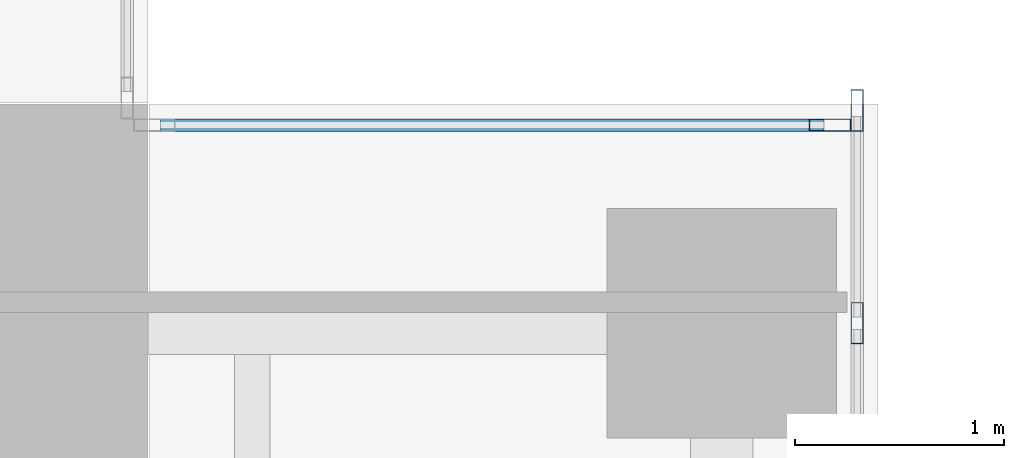
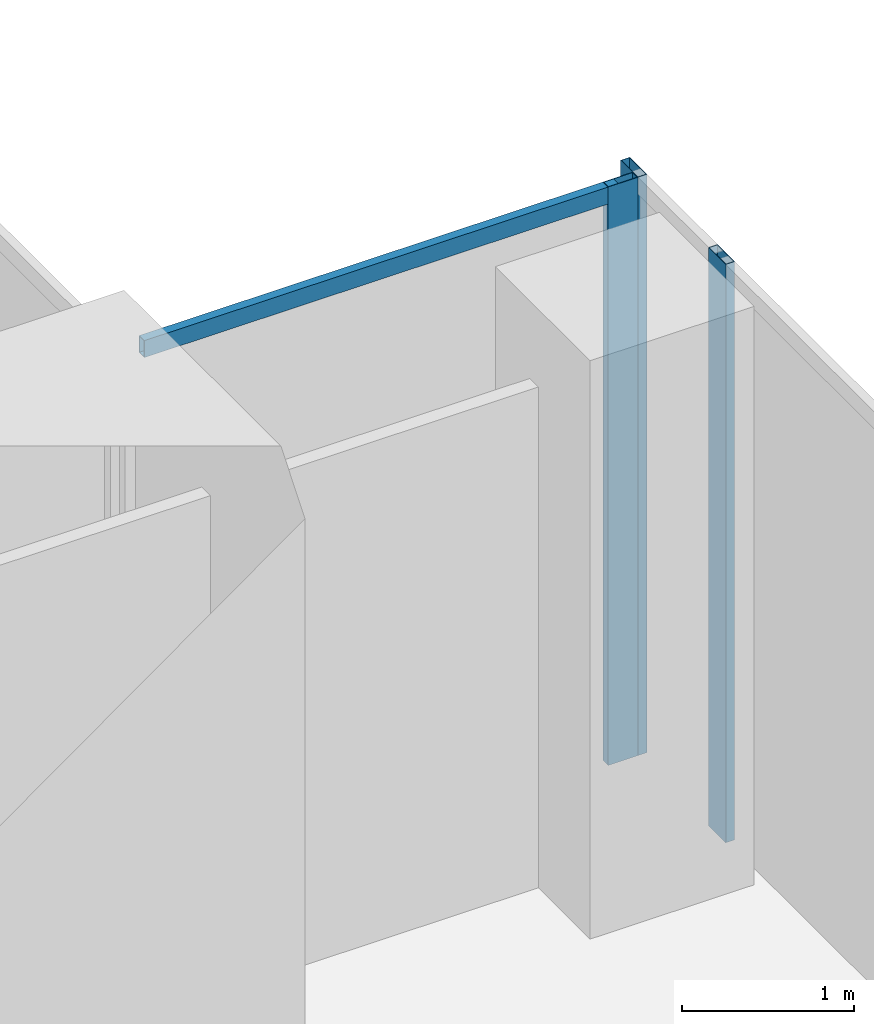
# One storey, part 21 of 35: 4 members, 2 elements without a shape of their own.
"""IFC4 building model written with IfcOpenShell, lengths in metres."""

from ifc_helpers import new_model, si_unit, direction, frame, origin, origin_2d, place, context, subcontext, project, spatial, hollow_rectangle, extrude, source, transform, mapped, material, material_profile, profile_set, type_object, element, aggregate, save


model = new_model("IFC4")

# Units and contexts
model_context = context("Model", 3, precision=1e-05, world=origin(), true_north=direction((0.0, 1.0)))
body_context = subcontext(model_context, "Body", "Model", "MODEL_VIEW")
ifc_project = project(units=[si_unit("LENGTHUNIT", "METRE"), si_unit("AREAUNIT", "SQUARE_METRE"), si_unit("VOLUMEUNIT", "CUBIC_METRE"), si_unit("PLANEANGLEUNIT", "RADIAN"), si_unit("MASSUNIT", "GRAM", prefix="KILO")], contexts=[model_context])

# Site, building, storey
site_placement = place(None, origin())
site = spatial("IfcSite", under=ifc_project, at=site_placement, CompositionType="ELEMENT")
building_placement = place(site_placement, origin())
building = spatial("IfcBuilding", under=site, at=building_placement, Name="Khomas Fold Tower", CompositionType="ELEMENT")
storey_placement = place(building_placement, frame((0.0, 0.0, 119.10009765625)))
storey = spatial("IfcBuildingStorey", under=building, at=storey_placement, Name="L25", CompositionType="ELEMENT", Elevation=119.10009765625)

# Curtain wall, member
ifc_material_1 = material(Name="Aluminium framed double glazing", Category="aluminium")
curtain_wall_type = type_object("IfcCurtainWallType", Name="SK-Unitised clear-glass wall, growing floors CW1", PredefinedType="NOTDEFINED", material=ifc_material_1)
curtain_wall_1_placement = place(storey_placement, origin())
curtain_wall_1 = element("IfcCurtainWall", 1, at=curtain_wall_1_placement, inside=storey, type_object=curtain_wall_type, Name="CW1 corner return L25 04", PredefinedType="NOTDEFINED")
ifc_material_2 = material(Name="Aluminium", Category="aluminium")
ifc_material_profile_1 = material_profile(ifc_material_2, hollow_rectangle(XDim=0.06005859375, YDim=0.1201171875, WallThickness=0.00390625, at=origin_2d()), Name="SK-Unitised clear-glass wall, growing floors transom CW1-T")
ifc_profile_set_1 = profile_set([ifc_material_profile_1], Name="Aluminium")
member_type_1 = type_object("IfcMemberType", Name="SK-Unitised clear-glass wall, growing floors transom CW1-T", PredefinedType="USERDEFINED", material=ifc_profile_set_1)
shared_shape_1 = source(origin(), body_context, "Body", "SweptSolid", [
    extrude(hollow_rectangle(XDim=0.06005859375, YDim=0.1201171875, WallThickness=0.00390625, at=origin_2d()), origin(), (0.0, 0.0, 1.0), 3.179931640625),
])
member_1_placement = place(storey_placement, frame((52.239990234375, 48.89990234375, 4.039794921875), z_axis=(-1.0, 0.0, 0.0), x_axis=(0.0, -1.0, 0.0)))
member_1 = element("IfcMember", 2, at=member_1_placement, type_object=member_type_1, Name="CW1 transom 1", ObjectType="TRANSOM", PredefinedType="USERDEFINED", context=body_context, shape_type="MappedRepresentation", body=[
    mapped(shared_shape_1, transform((0.0, 0.0, 0.0))),
])

# Curtain wall, members
curtain_wall_2_placement = place(storey_placement, origin())
curtain_wall_2 = element("IfcCurtainWall", 3, at=curtain_wall_2_placement, inside=storey, type_object=curtain_wall_type, Name="CW1 run L25 03-0", PredefinedType="NOTDEFINED")
ifc_material_3 = material(Name="Aluminium", Category="aluminium")
ifc_material_profile_2 = material_profile(ifc_material_3, hollow_rectangle(XDim=0.06005859375, YDim=0.199951171875, WallThickness=0.00390625, at=origin_2d()), Name="SK-Unitised clear-glass wall, growing floors mullion CW1-M")
ifc_profile_set_2 = profile_set([ifc_material_profile_2], Name="Aluminium")
member_type_2 = type_object("IfcMemberType", Name="SK-Unitised clear-glass wall, growing floors mullion CW1-M", PredefinedType="MULLION", material=ifc_profile_set_2)
shared_shape_2 = source(origin(), body_context, "Body", "SweptSolid", [
    extrude(hollow_rectangle(XDim=0.06005859375, YDim=0.199951171875, WallThickness=0.00390625, at=origin_2d()), origin(), (0.0, 0.0, 1.0), 4.099853515625),
])
member_2_placement = place(storey_placement, frame((52.39990234375, 47.949951171875, 0.0), z_axis=(0.0, 0.0, 1.0), x_axis=(-1.0, 0.0, 0.0)))
member_2 = element("IfcMember", 4, at=member_2_placement, type_object=member_type_2, Name="CW1 mullion 8", PredefinedType="MULLION", context=body_context, shape_type="MappedRepresentation", body=[
    mapped(shared_shape_2, transform((0.0, 0.0, 0.0))),
])
member_3_placement = place(storey_placement, frame((52.39990234375, 48.969970703125, 0.0), z_axis=(0.0, 0.0, 1.0), x_axis=(-1.0, 0.0, 0.0)))
member_3 = element("IfcMember", 5, at=member_3_placement, type_object=member_type_2, Name="CW1 mullion 9", PredefinedType="MULLION", context=body_context, shape_type="MappedRepresentation", body=[
    mapped(shared_shape_2, transform((0.0, 0.0, 0.0))),
])
aggregate(curtain_wall_2, [member_2, member_3])

# Member
member_4_placement = place(storey_placement, frame((52.27001953125, 48.89990234375, 0.0), z_axis=(0.0, 0.0, 1.0), x_axis=(0.0, -1.0, 0.0)))
member_4 = element("IfcMember", 6, at=member_4_placement, type_object=member_type_2, Name="CW1 mullion 1", PredefinedType="MULLION", context=body_context, shape_type="MappedRepresentation", body=[
    mapped(shared_shape_2, transform((0.0, 0.0, 0.0))),
])

aggregate(curtain_wall_1, [member_4, member_1])

save(model, "model.ifc")
